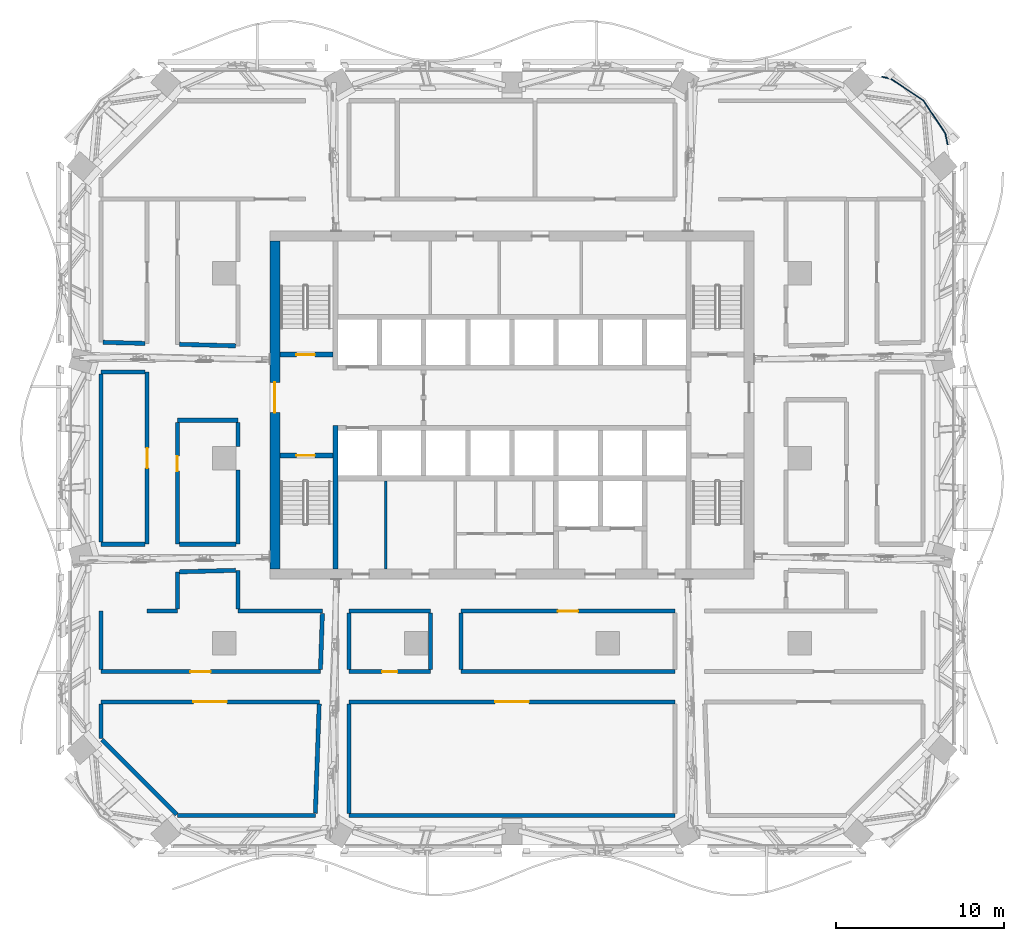
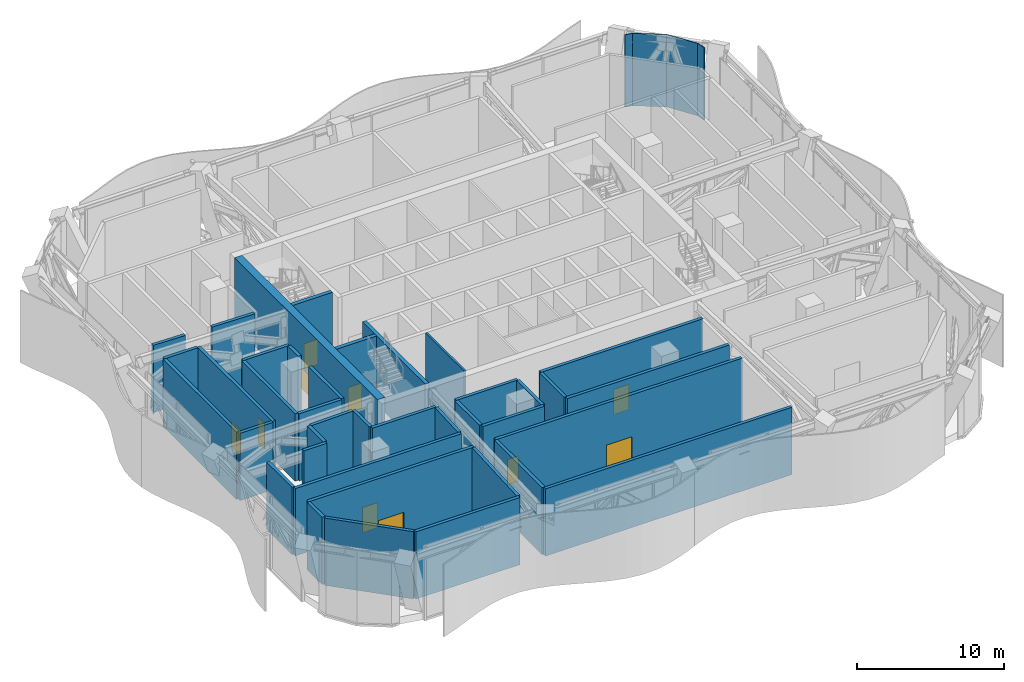
# One storey, part 8 of 26: 39 walls, 10 doors, 1 plate, 10 openings, 1 element without a shape of its own.
"""IFC4 building model written with IfcOpenShell, lengths in metres."""

from ifc_helpers import new_model, si_unit, direction, frame, frame_2d, origin, place, context, subcontext, project, spatial, polyline, rectangle, outline, extrude, material, layer, layer_set, type_object, element, fill, aggregate, save


model = new_model("IFC4")

# Units and contexts
model_context = context("Model", 3, precision=1e-05, world=origin(), true_north=direction((0.0, 1.0)))
body_context = subcontext(model_context, "Body", "Model", "MODEL_VIEW")
ifc_project = project(units=[si_unit("LENGTHUNIT", "METRE"), si_unit("AREAUNIT", "SQUARE_METRE"), si_unit("VOLUMEUNIT", "CUBIC_METRE"), si_unit("PLANEANGLEUNIT", "RADIAN"), si_unit("MASSUNIT", "GRAM", prefix="KILO")], contexts=[model_context])

# Site, building, storey
site_placement = place(None, origin())
site = spatial("IfcSite", under=ifc_project, at=site_placement, CompositionType="ELEMENT")
building_placement = place(site_placement, origin())
building = spatial("IfcBuilding", under=site, at=building_placement, Name="Mopane Tessera Tower", CompositionType="ELEMENT")
storey_placement = place(building_placement, frame((0.0, 0.0, 205.0)))
storey = spatial("IfcBuildingStorey", under=building, at=storey_placement, Name="L43", CompositionType="ELEMENT", Elevation=205.0)

# Curtain wall, plate
ifc_material_1 = material(Name="Aluminium frame", Category="aluminium")
curtain_wall_type = type_object("IfcCurtainWallType", Name="Plant floor unitised wall", PredefinedType="NOTDEFINED", material=ifc_material_1)
curtain_wall_placement = place(storey_placement, origin())
curtain_wall = element("IfcCurtainWall", 1, at=curtain_wall_placement, inside=storey, type_object=curtain_wall_type, Name="e:cw:L43:CE", PredefinedType="NOTDEFINED")
ifc_material_2 = material(Name="Limestone spandrel", Category="masonry")
ifc_layer_1 = layer(ifc_material_2, 0.06005859375)
ifc_layer_set_1 = layer_set([ifc_layer_1], Name="Limestone spandrel")
plate_type = type_object("IfcPlateType", Name="Stone spandrel unit", PredefinedType="CURTAIN_PANEL", material=ifc_layer_set_1)
plate_placement = place(storey_placement, frame((0.0, 0.0, -0.419921875)))
plate = element("IfcPlate", 2, at=plate_placement, type_object=plate_type, Name="e:cw:L43:CE:pn", PredefinedType="CURTAIN_PANEL", context=body_context, shape_type="SweptSolid", body=[
    extrude(outline(polyline([(24.442626953125, 21.24267578125), (22.49609375, 22.543212890625), (21.977783203125, 22.646484375), (21.977783203125, 22.706298828125), (22.51904296875, 22.5986328125), (24.485107421875, 21.28515625), (25.798828125, 19.319091796875), (25.935546875, 18.630615234375), (25.875732421875, 18.630615234375), (25.7431640625, 19.296142578125), (24.442626953125, 21.24267578125)])), origin(), (0.0, 0.0, 1.0), 6.02001953125),
])
aggregate(curtain_wall, [plate])

# Wall
ifc_material_3 = material(Name="Fire-rated gypsum board partition")
ifc_layer_2 = layer(ifc_material_3, 0.14990234375)
ifc_layer_set_2 = layer_set([ifc_layer_2], Name="Fire-rated gypsum board partition")
wall_type_1 = type_object("IfcWallType", Name="Core room partition 150 mm", PredefinedType="PARTITIONING", material=ifc_layer_set_2)
wall_1_placement = place(storey_placement, frame((-7.5, -6.60009765625, 0.0), z_axis=(0.0, 0.0, 1.0), x_axis=(0.0, 1.0, 0.0)))
element("IfcWall", 3, at=wall_1_placement, inside=storey, type_object=wall_type_1, Name="L43 Room partition", PredefinedType="PARTITIONING", context=body_context, shape_type="SweptSolid", body=[
    extrude(rectangle(XDim=5.25, YDim=0.14990234375, at=frame_2d((2.625, 0.0))), origin(), (0.0, 0.0, 1.0), 5.699951171875),
])

# Wall, opening, door
ifc_material_4 = material(Name="Concrete C70/85", Category="concrete")
ifc_layer_3 = layer(ifc_material_4, 0.60009765625)
ifc_layer_set_3 = layer_set([ifc_layer_3], Name="Concrete C70/85")
wall_type_2 = type_object("IfcWallType", Name="Core shear wall 600 mm", PredefinedType="SHEAR", material=ifc_layer_set_3)
wall_2_placement = place(storey_placement, frame((-14.10009765625, -6.60009765625, 0.0), z_axis=(0.0, 0.0, 1.0), x_axis=(0.0, 1.0, 0.0)))
wall_2 = element("IfcWall", 4, at=wall_2_placement, inside=storey, type_object=wall_type_2, Name="L43 Core wall west", PredefinedType="SHEAR", context=body_context, shape_type="SweptSolid", body=[
    extrude(rectangle(XDim=19.5, YDim=0.60009765625, at=frame_2d((9.75, 0.0))), origin(), (0.0, 0.0, 1.0), 5.699951171875),
])
opening_1_placement = place(wall_2_placement, frame((9.300048828125, 0.0, 0.0)))
opening_1 = element("IfcOpeningElement", 5, at=opening_1_placement, cuts=wall_2, Name="Opening SD2", PredefinedType="OPENING", context=body_context, shape_type="SweptSolid", body=[
    extrude(rectangle(XDim=1.800048828125, YDim=2.10009765625, at=frame_2d((0.89990234375, 1.050048828125))), frame((0.0, 0.31201171875, 0.0), z_axis=(0.0, -1.0, 0.0), x_axis=(1.0, 0.0, 0.0)), (0.0, 0.0, 1.0), 0.6240234375),
])
ifc_material_5 = material(Name="Steel fire door", Category="steel")
door_type_1 = type_object("IfcDoorType", Name="Core entrance double door 1800 x 2100", OperationType="DOUBLE_DOOR_SINGLE_SWING", PredefinedType="DOOR", material=ifc_material_5)
door_1_placement = place(opening_1_placement, origin())
door_1 = element("IfcDoor", 6, at=door_1_placement, inside=storey, type_object=door_type_1, Name="L43 Core entrance door west", OperationType="DOUBLE_DOOR_SINGLE_SWING", OverallHeight=2.10009765625, OverallWidth=1.800048828125, PredefinedType="DOOR", context=body_context, shape_type="SweptSolid", body=[
    extrude(rectangle(XDim=1.800048828125, YDim=2.10009765625, at=frame_2d((0.89990234375, 1.050048828125))), frame((0.0, 0.02490234375, 0.0), z_axis=(0.0, -1.0, 0.0), x_axis=(1.0, 0.0, 0.0)), (0.0, 0.0, 1.0), 0.050048828125),
])
fill(opening_1, door_1)

# Wall
ifc_material_6 = material(Name="Concrete C60/75", Category="concrete")
ifc_layer_4 = layer(ifc_material_6, 0.300048828125)
ifc_layer_set_4 = layer_set([ifc_layer_4], Name="Concrete C60/75")
wall_type_3 = type_object("IfcWallType", Name="Core spine wall 300 mm", PredefinedType="SHEAR", material=ifc_layer_set_4)
wall_3_placement = place(storey_placement, frame((-10.5, -6.60009765625, 0.0), z_axis=(0.0, 0.0, 1.0), x_axis=(0.0, 1.0, 0.0)))
element("IfcWall", 7, at=wall_3_placement, inside=storey, type_object=wall_type_3, Name="L43 Core spine wall", PredefinedType="SHEAR", context=body_context, shape_type="SweptSolid", body=[
    extrude(rectangle(XDim=8.550048828125, YDim=0.300048828125, at=frame_2d((4.27490234375, 0.0))), origin(), (0.0, 0.0, 1.0), 5.699951171875),
])

# Wall, opening, door
ifc_material_7 = material(Name="Concrete C50/60", Category="concrete")
ifc_layer_5 = layer(ifc_material_7, 0.300048828125)
ifc_layer_set_5 = layer_set([ifc_layer_5], Name="Concrete C50/60")
wall_type_4 = type_object("IfcWallType", Name="Lift and stair shaft wall 300 mm", PredefinedType="SOLIDWALL", material=ifc_layer_set_5)
wall_4_placement = place(storey_placement, frame((-13.800048828125, 0.14990234375, 0.0), z_axis=(0.0, 0.0, 1.0), x_axis=(1.0, 0.0, 0.0)))
wall_4 = element("IfcWall", 8, at=wall_4_placement, inside=storey, type_object=wall_type_4, Name="L43 Stair enclosure wall", PredefinedType="SOLIDWALL", context=body_context, shape_type="SweptSolid", body=[
    extrude(rectangle(XDim=3.150146484375, YDim=0.300048828125, at=frame_2d((1.5751953125, 0.0))), origin(), (0.0, 0.0, 1.0), 5.699951171875),
])
opening_2_placement = place(wall_4_placement, frame((0.97509765625, 0.0, 0.0)))
opening_2 = element("IfcOpeningElement", 9, at=opening_2_placement, cuts=wall_4, Name="Opening SD1", PredefinedType="OPENING", context=body_context, shape_type="SweptSolid", body=[
    extrude(rectangle(XDim=1.10009765625, YDim=2.10009765625, at=frame_2d((0.550048828125, 1.050048828125))), frame((0.0, 0.162109375, 0.0), z_axis=(0.0, -1.0, 0.0), x_axis=(1.0, 0.0, 0.0)), (0.0, 0.0, 1.0), 0.323974609375),
])
ifc_material_8 = material(Name="Steel fire door", Category="steel")
door_type_2 = type_object("IfcDoorType", Name="Stair fire door 1100 x 2100", OperationType="SINGLE_SWING_LEFT", PredefinedType="DOOR", material=ifc_material_8)
door_2_placement = place(opening_2_placement, origin())
door_2 = element("IfcDoor", 10, at=door_2_placement, inside=storey, type_object=door_type_2, Name="L43 Stair door ST1", OperationType="SINGLE_SWING_LEFT", OverallHeight=2.10009765625, OverallWidth=1.10009765625, PredefinedType="DOOR", context=body_context, shape_type="SweptSolid", body=[
    extrude(rectangle(XDim=1.10009765625, YDim=2.10009765625, at=frame_2d((0.550048828125, 1.050048828125))), frame((0.0, 0.02490234375, 0.0), z_axis=(0.0, -1.0, 0.0), x_axis=(1.0, 0.0, 0.0)), (0.0, 0.0, 1.0), 0.050048828125),
])
fill(opening_2, door_2)

wall_5_placement = place(storey_placement, frame((-13.800048828125, 6.14990234375, 0.0), z_axis=(0.0, 0.0, 1.0), x_axis=(1.0, 0.0, 0.0)))
wall_5 = element("IfcWall", 11, at=wall_5_placement, inside=storey, type_object=wall_type_4, Name="L43 Stair enclosure wall", PredefinedType="SOLIDWALL", context=body_context, shape_type="SweptSolid", body=[
    extrude(rectangle(XDim=3.150146484375, YDim=0.300048828125, at=frame_2d((1.5751953125, 0.0))), origin(), (0.0, 0.0, 1.0), 5.699951171875),
])
opening_3_placement = place(wall_5_placement, frame((0.97509765625, 0.0, 0.0)))
opening_3 = element("IfcOpeningElement", 12, at=opening_3_placement, cuts=wall_5, Name="Opening SD1", PredefinedType="OPENING", context=body_context, shape_type="SweptSolid", body=[
    extrude(rectangle(XDim=1.10009765625, YDim=2.10009765625, at=frame_2d((0.550048828125, 1.050048828125))), frame((0.0, 0.162109375, 0.0), z_axis=(0.0, -1.0, 0.0), x_axis=(1.0, 0.0, 0.0)), (0.0, 0.0, 1.0), 0.323974609375),
])
door_3_placement = place(opening_3_placement, origin())
door_3 = element("IfcDoor", 13, at=door_3_placement, inside=storey, type_object=door_type_2, Name="L43 Stair door ST2", OperationType="SINGLE_SWING_LEFT", OverallHeight=2.10009765625, OverallWidth=1.10009765625, PredefinedType="DOOR", context=body_context, shape_type="SweptSolid", body=[
    extrude(rectangle(XDim=1.10009765625, YDim=2.10009765625, at=frame_2d((0.550048828125, 1.050048828125))), frame((0.0, 0.02490234375, 0.0), z_axis=(0.0, -1.0, 0.0), x_axis=(1.0, 0.0, 0.0)), (0.0, 0.0, 1.0), 0.050048828125),
])
fill(opening_3, door_3)

# Walls
ifc_material_9 = material(Name="Plastered concrete blockwork C20/25", Category="masonry")
ifc_layer_6 = layer(ifc_material_9, 0.25)
ifc_layer_set_6 = layer_set([ifc_layer_6], Name="Plastered concrete blockwork C20/25")
wall_type_5 = type_object("IfcWallType", Name="Plastered blockwork wall 250, rated EI 120", PredefinedType="PARTITIONING", material=ifc_layer_set_6)
wall_6_placement = place(storey_placement, frame((-19.889892578125, -21.25, 0.0), z_axis=(0.0, 0.0, 1.0), x_axis=(1.0, 0.0, 0.0)))
element("IfcWall", 14, at=wall_6_placement, inside=storey, type_object=wall_type_5, Name="Partition L43:000", PredefinedType="PARTITIONING", context=body_context, shape_type="SweptSolid", body=[
    extrude(rectangle(XDim=8.18994140625, YDim=0.25, at=frame_2d((4.094970703125, 0.0))), origin(), (0.0, 0.0, 1.0), 5.60009765625),
])
wall_7_placement = place(storey_placement, frame((-9.699951171875, -21.25, 0.0), z_axis=(0.0, 0.0, 1.0), x_axis=(1.0, 0.0, 0.0)))
element("IfcWall", 15, at=wall_7_placement, inside=storey, type_object=wall_type_5, Name="Partition L43:001", PredefinedType="PARTITIONING", context=body_context, shape_type="SweptSolid", body=[
    extrude(rectangle(XDim=19.39990234375, YDim=0.25, at=frame_2d((9.699951171875, 0.0))), origin(), (0.0, 0.0, 1.0), 5.60009765625),
])

# Wall, opening, door
wall_8_placement = place(storey_placement, frame((-24.449951171875, -14.5, 0.0), z_axis=(0.0, 0.0, 1.0), x_axis=(1.0, 0.0, 0.0)))
wall_8 = element("IfcWall", 16, at=wall_8_placement, inside=storey, type_object=wall_type_5, Name="Partition L43:003", PredefinedType="PARTITIONING", context=body_context, shape_type="SweptSolid", body=[
    extrude(rectangle(XDim=12.989990234375, YDim=0.25, at=frame_2d((6.4951171875, 0.0))), origin(), (0.0, 0.0, 1.0), 5.60009765625),
])
opening_4_placement = place(wall_8_placement, frame((5.4951171875, 0.0, 0.0)))
opening_4 = element("IfcOpeningElement", 17, at=opening_4_placement, cuts=wall_8, Name="Opening L43-15", PredefinedType="OPENING", context=body_context, shape_type="SweptSolid", body=[
    extrude(rectangle(XDim=2.0, YDim=2.10009765625, at=frame_2d((1.0, 1.050048828125))), frame((0.0, 0.136962890625, 0.0), z_axis=(0.0, -1.0, 0.0), x_axis=(1.0, 0.0, 0.0)), (0.0, 0.0, 1.0), 0.27392578125),
])
ifc_material_10 = material(Name="Timber veneered steel-framed fire door", Category="steel")
door_type_3 = type_object("IfcDoorType", Name="Fire door pair FD120 2000 x 2100", OperationType="DOUBLE_DOOR_SINGLE_SWING", PredefinedType="DOOR", material=ifc_material_10)
door_4_placement = place(opening_4_placement, origin())
door_4 = element("IfcDoor", 18, at=door_4_placement, inside=storey, type_object=door_type_3, Name="Door L43-15", ObjectType="D25B", OperationType="DOUBLE_DOOR_SINGLE_SWING", OverallHeight=2.10009765625, OverallWidth=2.0, PredefinedType="DOOR", context=body_context, shape_type="SweptSolid", body=[
    extrude(rectangle(XDim=2.0, YDim=2.10009765625, at=frame_2d((1.0, 1.050048828125))), frame((0.0, 0.02490234375, 0.0), z_axis=(0.0, -1.0, 0.0), x_axis=(1.0, 0.0, 0.0)), (0.0, 0.0, 1.0), 0.050048828125),
])
fill(opening_4, door_4)

wall_9_placement = place(storey_placement, frame((-9.699951171875, -14.5, 0.0), z_axis=(0.0, 0.0, 1.0), x_axis=(1.0, 0.0, 0.0)))
wall_9 = element("IfcWall", 19, at=wall_9_placement, inside=storey, type_object=wall_type_5, Name="Partition L43:004", PredefinedType="PARTITIONING", context=body_context, shape_type="SweptSolid", body=[
    extrude(rectangle(XDim=19.39990234375, YDim=0.25, at=frame_2d((9.699951171875, 0.0))), origin(), (0.0, 0.0, 1.0), 5.60009765625),
])
opening_5_placement = place(wall_9_placement, frame((8.699951171875, 0.0, 0.0)))
opening_5 = element("IfcOpeningElement", 20, at=opening_5_placement, cuts=wall_9, Name="Opening L43-16", PredefinedType="OPENING", context=body_context, shape_type="SweptSolid", body=[
    extrude(rectangle(XDim=2.0, YDim=2.10009765625, at=frame_2d((1.0, 1.050048828125))), frame((0.0, 0.136962890625, 0.0), z_axis=(0.0, -1.0, 0.0), x_axis=(1.0, 0.0, 0.0)), (0.0, 0.0, 1.0), 0.27392578125),
])
door_5_placement = place(opening_5_placement, origin())
door_5 = element("IfcDoor", 21, at=door_5_placement, inside=storey, type_object=door_type_3, Name="Door L43-16", ObjectType="D25B", OperationType="DOUBLE_DOOR_SINGLE_SWING", OverallHeight=2.10009765625, OverallWidth=2.0, PredefinedType="DOOR", context=body_context, shape_type="SweptSolid", body=[
    extrude(rectangle(XDim=2.0, YDim=2.10009765625, at=frame_2d((1.0, 1.050048828125))), frame((0.0, 0.02490234375, 0.0), z_axis=(0.0, -1.0, 0.0), x_axis=(1.0, 0.0, 0.0)), (0.0, 0.0, 1.0), 0.050048828125),
])
fill(opening_5, door_5)

wall_10_placement = place(storey_placement, frame((-24.449951171875, -12.699951171875, 0.0), z_axis=(0.0, 0.0, 1.0), x_axis=(1.0, 0.0, 0.0)))
wall_10 = element("IfcWall", 22, at=wall_10_placement, inside=storey, type_object=wall_type_5, Name="Partition L43:006", PredefinedType="PARTITIONING", context=body_context, shape_type="SweptSolid", body=[
    extrude(rectangle(XDim=13.054931640625, YDim=0.25, at=frame_2d((6.52734375, 0.0))), origin(), (0.0, 0.0, 1.0), 5.60009765625),
])
opening_6_placement = place(wall_10_placement, frame((5.327392578125, 0.0, 0.0)))
opening_6 = element("IfcOpeningElement", 23, at=opening_6_placement, cuts=wall_10, Name="Opening L43-05", PredefinedType="OPENING", context=body_context, shape_type="SweptSolid", body=[
    extrude(rectangle(XDim=1.199951171875, YDim=2.10009765625, at=frame_2d((0.60009765625, 1.050048828125))), frame((0.0, 0.136962890625, 0.0), z_axis=(0.0, -1.0, 0.0), x_axis=(1.0, 0.0, 0.0)), (0.0, 0.0, 1.0), 0.27392578125),
])
ifc_material_11 = material(Name="Timber veneered steel-framed fire door", Category="steel")
door_type_4 = type_object("IfcDoorType", Name="Fire door FD120 1200 x 2100", OperationType="SINGLE_SWING_LEFT", PredefinedType="DOOR", material=ifc_material_11)
door_6_placement = place(opening_6_placement, origin())
door_6 = element("IfcDoor", 24, at=door_6_placement, inside=storey, type_object=door_type_4, Name="Door L43-05", ObjectType="D15B", OperationType="SINGLE_SWING_LEFT", OverallHeight=2.10009765625, OverallWidth=1.199951171875, PredefinedType="DOOR", context=body_context, shape_type="SweptSolid", body=[
    extrude(rectangle(XDim=1.199951171875, YDim=2.10009765625, at=frame_2d((0.60009765625, 1.050048828125))), frame((0.0, 0.02490234375, 0.0), z_axis=(0.0, -1.0, 0.0), x_axis=(1.0, 0.0, 0.0)), (0.0, 0.0, 1.0), 0.050048828125),
])
fill(opening_6, door_6)

wall_11_placement = place(storey_placement, frame((-9.699951171875, -12.699951171875, 0.0), z_axis=(0.0, 0.0, 1.0), x_axis=(1.0, 0.0, 0.0)))
wall_11 = element("IfcWall", 25, at=wall_11_placement, inside=storey, type_object=wall_type_5, Name="Partition L43:007", PredefinedType="PARTITIONING", context=body_context, shape_type="SweptSolid", body=[
    extrude(rectangle(XDim=4.85986328125, YDim=0.25, at=frame_2d((2.429931640625, 0.0))), origin(), (0.0, 0.0, 1.0), 5.60009765625),
])
opening_7_placement = place(wall_11_placement, frame((1.97998046875, 0.0, 0.0)))
opening_7 = element("IfcOpeningElement", 26, at=opening_7_placement, cuts=wall_11, Name="Opening L43-07", PredefinedType="OPENING", context=body_context, shape_type="SweptSolid", body=[
    extrude(rectangle(XDim=0.89990234375, YDim=2.10009765625, at=frame_2d((0.449951171875, 1.050048828125))), frame((0.0, 0.136962890625, 0.0), z_axis=(0.0, -1.0, 0.0), x_axis=(1.0, 0.0, 0.0)), (0.0, 0.0, 1.0), 0.27392578125),
])
ifc_material_12 = material(Name="Timber veneered steel-framed fire door", Category="steel")
door_type_5 = type_object("IfcDoorType", Name="Fire door FD120 900 x 2100", OperationType="SINGLE_SWING_LEFT", PredefinedType="DOOR", material=ifc_material_12)
door_7_placement = place(opening_7_placement, origin())
door_7 = element("IfcDoor", 27, at=door_7_placement, inside=storey, type_object=door_type_5, Name="Door L43-07", ObjectType="D10B", OperationType="SINGLE_SWING_LEFT", OverallHeight=2.10009765625, OverallWidth=0.89990234375, PredefinedType="DOOR", context=body_context, shape_type="SweptSolid", body=[
    extrude(rectangle(XDim=0.89990234375, YDim=2.10009765625, at=frame_2d((0.449951171875, 1.050048828125))), frame((0.0, 0.02490234375, 0.0), z_axis=(0.0, -1.0, 0.0), x_axis=(1.0, 0.0, 0.0)), (0.0, 0.0, 1.0), 0.050048828125),
])
fill(opening_7, door_7)

# Walls
wall_12_placement = place(storey_placement, frame((-3.0400390625, -12.699951171875, 0.0), z_axis=(0.0, 0.0, 1.0), x_axis=(1.0, 0.0, 0.0)))
element("IfcWall", 28, at=wall_12_placement, inside=storey, type_object=wall_type_5, Name="Partition L43:008", PredefinedType="PARTITIONING", context=body_context, shape_type="SweptSolid", body=[
    extrude(rectangle(XDim=12.739990234375, YDim=0.25, at=frame_2d((6.3701171875, 0.0))), origin(), (0.0, 0.0, 1.0), 5.60009765625),
])
wall_13_placement = place(storey_placement, frame((-21.699951171875, -9.10009765625, 0.0), z_axis=(0.0, 0.0, 1.0), x_axis=(1.0, 0.0, 0.0)))
element("IfcWall", 29, at=wall_13_placement, inside=storey, type_object=wall_type_5, Name="Partition L43:010", PredefinedType="PARTITIONING", context=body_context, shape_type="SweptSolid", body=[
    extrude(rectangle(XDim=1.800048828125, YDim=0.25, at=frame_2d((0.89990234375, 0.0))), origin(), (0.0, 0.0, 1.0), 5.60009765625),
])
wall_14_placement = place(storey_placement, frame((-16.300048828125, -9.10009765625, 0.0), z_axis=(0.0, 0.0, 1.0), x_axis=(1.0, 0.0, 0.0)))
element("IfcWall", 30, at=wall_14_placement, inside=storey, type_object=wall_type_5, Name="Partition L43:011", PredefinedType="PARTITIONING", context=body_context, shape_type="SweptSolid", body=[
    extrude(rectangle(XDim=5.030029296875, YDim=0.25, at=frame_2d((2.51513671875, 0.0))), origin(), (0.0, 0.0, 1.0), 5.60009765625),
])
wall_15_placement = place(storey_placement, frame((-9.699951171875, -9.10009765625, 0.0), z_axis=(0.0, 0.0, 1.0), x_axis=(1.0, 0.0, 0.0)))
element("IfcWall", 31, at=wall_15_placement, inside=storey, type_object=wall_type_5, Name="Partition L43:012", PredefinedType="PARTITIONING", context=body_context, shape_type="SweptSolid", body=[
    extrude(rectangle(XDim=4.85986328125, YDim=0.25, at=frame_2d((2.429931640625, 0.0))), origin(), (0.0, 0.0, 1.0), 5.60009765625),
])

# Wall, opening, door
wall_16_placement = place(storey_placement, frame((-3.0400390625, -9.10009765625, 0.0), z_axis=(0.0, 0.0, 1.0), x_axis=(1.0, 0.0, 0.0)))
wall_16 = element("IfcWall", 32, at=wall_16_placement, inside=storey, type_object=wall_type_5, Name="Partition L43:013", PredefinedType="PARTITIONING", context=body_context, shape_type="SweptSolid", body=[
    extrude(rectangle(XDim=12.739990234375, YDim=0.25, at=frame_2d((6.3701171875, 0.0))), origin(), (0.0, 0.0, 1.0), 5.60009765625),
])
opening_8_placement = place(wall_16_placement, frame((5.77001953125, 0.0, 0.0)))
opening_8 = element("IfcOpeningElement", 33, at=opening_8_placement, cuts=wall_16, Name="Opening L43-11", PredefinedType="OPENING", context=body_context, shape_type="SweptSolid", body=[
    extrude(rectangle(XDim=1.199951171875, YDim=2.10009765625, at=frame_2d((0.60009765625, 1.050048828125))), frame((0.0, 0.136962890625, 0.0), z_axis=(0.0, -1.0, 0.0), x_axis=(1.0, 0.0, 0.0)), (0.0, 0.0, 1.0), 0.27392578125),
])
door_8_placement = place(opening_8_placement, origin())
door_8 = element("IfcDoor", 34, at=door_8_placement, inside=storey, type_object=door_type_4, Name="Door L43-11", ObjectType="D15B", OperationType="SINGLE_SWING_RIGHT", OverallHeight=2.10009765625, OverallWidth=1.199951171875, PredefinedType="DOOR", context=body_context, shape_type="SweptSolid", body=[
    extrude(rectangle(XDim=1.199951171875, YDim=2.10009765625, at=frame_2d((0.60009765625, 1.050048828125))), frame((0.0, 0.02490234375, 0.0), z_axis=(0.0, -1.0, 0.0), x_axis=(1.0, 0.0, 0.0)), (0.0, 0.0, 1.0), 0.050048828125),
])
fill(opening_8, door_8)

# Walls
wall_17_placement = place(storey_placement, frame((-24.449951171875, -5.1201171875, 0.0), z_axis=(0.0, 0.0, 1.0), x_axis=(1.0, 0.0, 0.0)))
element("IfcWall", 35, at=wall_17_placement, inside=storey, type_object=wall_type_5, Name="Partition L43:015", PredefinedType="PARTITIONING", context=body_context, shape_type="SweptSolid", body=[
    extrude(rectangle(XDim=2.625, YDim=0.25, at=frame_2d((1.3125, 0.0))), origin(), (0.0, 0.0, 1.0), 5.60009765625),
])
wall_18_placement = place(storey_placement, frame((-19.77490234375, -5.1201171875, 0.0), z_axis=(0.0, 0.0, 1.0), x_axis=(1.0, 0.0, 0.0)))
element("IfcWall", 36, at=wall_18_placement, inside=storey, type_object=wall_type_5, Name="Partition L43:016", PredefinedType="PARTITIONING", context=body_context, shape_type="SweptSolid", body=[
    extrude(rectangle(XDim=3.349853515625, YDim=0.25, at=frame_2d((1.6748046875, 0.0))), origin(), (0.0, 0.0, 1.0), 5.60009765625),
])
wall_19_placement = place(storey_placement, frame((-19.89990234375, 2.25, 0.0), z_axis=(0.0, 0.0, 1.0), x_axis=(1.0, 0.0, 0.0)))
element("IfcWall", 37, at=wall_19_placement, inside=storey, type_object=wall_type_5, Name="Partition L43:019", PredefinedType="PARTITIONING", context=body_context, shape_type="SweptSolid", body=[
    extrude(rectangle(XDim=3.599853515625, YDim=0.25, at=frame_2d((1.7998046875, 0.0))), origin(), (0.0, 0.0, 1.0), 5.60009765625),
])
wall_20_placement = place(storey_placement, frame((-24.449951171875, 5.1201171875, 0.0), z_axis=(0.0, 0.0, 1.0), x_axis=(1.0, 0.0, 0.0)))
element("IfcWall", 38, at=wall_20_placement, inside=storey, type_object=wall_type_5, Name="Partition L43:021", PredefinedType="PARTITIONING", context=body_context, shape_type="SweptSolid", body=[
    extrude(rectangle(XDim=2.625, YDim=0.25, at=frame_2d((1.3125, 0.0))), origin(), (0.0, 0.0, 1.0), 5.60009765625),
])
wall_21_placement = place(storey_placement, frame((-24.449951171875, -16.68994140625, 0.0), z_axis=(0.0, 0.0, 1.0), x_axis=(0.0, 1.0, 0.0)))
element("IfcWall", 39, at=wall_21_placement, inside=storey, type_object=wall_type_5, Name="Partition L43:034", PredefinedType="PARTITIONING", context=body_context, shape_type="SweptSolid", body=[
    extrude(rectangle(XDim=2.06494140625, YDim=0.25, at=frame_2d((1.032470703125, 0.0))), origin(), (0.0, 0.0, 1.0), 5.60009765625),
])
wall_22_placement = place(storey_placement, frame((-24.449951171875, -12.574951171875, 0.0), z_axis=(0.0, 0.0, 1.0), x_axis=(0.0, 1.0, 0.0)))
element("IfcWall", 40, at=wall_22_placement, inside=storey, type_object=wall_type_5, Name="Partition L43:035", PredefinedType="PARTITIONING", context=body_context, shape_type="SweptSolid", body=[
    extrude(rectangle(XDim=3.474853515625, YDim=0.25, at=frame_2d((1.7373046875, 0.0))), origin(), (0.0, 0.0, 1.0), 5.60009765625),
])
wall_23_placement = place(storey_placement, frame((-24.449951171875, -4.9951171875, 0.0), z_axis=(0.0, 0.0, 1.0), x_axis=(0.0, 1.0, 0.0)))
element("IfcWall", 41, at=wall_23_placement, inside=storey, type_object=wall_type_5, Name="Partition L43:036", PredefinedType="PARTITIONING", context=body_context, shape_type="SweptSolid", body=[
    extrude(rectangle(XDim=9.990234375, YDim=0.25, at=frame_2d((4.9951171875, 0.0))), origin(), (0.0, 0.0, 1.0), 5.60009765625),
])

# Wall, opening, door
wall_24_placement = place(storey_placement, frame((-21.699951171875, -5.1201171875, 0.0), z_axis=(0.0, 0.0, 1.0), x_axis=(0.0, 1.0, 0.0)))
wall_24 = element("IfcWall", 42, at=wall_24_placement, inside=storey, type_object=wall_type_5, Name="Partition L43:039", PredefinedType="PARTITIONING", context=body_context, shape_type="SweptSolid", body=[
    extrude(rectangle(XDim=10.240234375, YDim=0.25, at=frame_2d((5.1201171875, 0.0))), origin(), (0.0, 0.0, 1.0), 5.60009765625),
])
opening_9_placement = place(wall_24_placement, frame((4.52001953125, 0.0, 0.0)))
opening_9 = element("IfcOpeningElement", 43, at=opening_9_placement, cuts=wall_24, Name="Opening L43-14", PredefinedType="OPENING", context=body_context, shape_type="SweptSolid", body=[
    extrude(rectangle(XDim=1.199951171875, YDim=2.10009765625, at=frame_2d((0.60009765625, 1.050048828125))), frame((0.0, 0.136962890625, 0.0), z_axis=(0.0, -1.0, 0.0), x_axis=(1.0, 0.0, 0.0)), (0.0, 0.0, 1.0), 0.27392578125),
])
door_9_placement = place(opening_9_placement, origin())
door_9 = element("IfcDoor", 44, at=door_9_placement, inside=storey, type_object=door_type_4, Name="Door L43-14", ObjectType="D15B", OperationType="SINGLE_SWING_RIGHT", OverallHeight=2.10009765625, OverallWidth=1.199951171875, PredefinedType="DOOR", context=body_context, shape_type="SweptSolid", body=[
    extrude(rectangle(XDim=1.199951171875, YDim=2.10009765625, at=frame_2d((0.60009765625, 1.050048828125))), frame((0.0, 0.02490234375, 0.0), z_axis=(0.0, -1.0, 0.0), x_axis=(1.0, 0.0, 0.0)), (0.0, 0.0, 1.0), 0.050048828125),
])
fill(opening_9, door_9)

# Wall
wall_25_placement = place(storey_placement, frame((-19.89990234375, -8.97509765625, 0.0), z_axis=(0.0, 0.0, 1.0), x_axis=(0.0, 1.0, 0.0)))
element("IfcWall", 45, at=wall_25_placement, inside=storey, type_object=wall_type_5, Name="Partition L43:041", PredefinedType="PARTITIONING", context=body_context, shape_type="SweptSolid", body=[
    extrude(rectangle(XDim=2.205078125, YDim=0.25, at=frame_2d((1.1025390625, 0.0))), origin(), (0.0, 0.0, 1.0), 5.60009765625),
])

# Wall, opening, door
wall_26_placement = place(storey_placement, frame((-19.89990234375, -5.1201171875, 0.0), z_axis=(0.0, 0.0, 1.0), x_axis=(0.0, 1.0, 0.0)))
wall_26 = element("IfcWall", 46, at=wall_26_placement, inside=storey, type_object=wall_type_5, Name="Partition L43:042", PredefinedType="PARTITIONING", context=body_context, shape_type="SweptSolid", body=[
    extrude(rectangle(XDim=7.2451171875, YDim=0.25, at=frame_2d((3.62255859375, 0.0))), origin(), (0.0, 0.0, 1.0), 5.60009765625),
])
opening_10_placement = place(wall_26_placement, frame((4.340087890625, 0.0, 0.0)))
opening_10 = element("IfcOpeningElement", 47, at=opening_10_placement, cuts=wall_26, Name="Opening L43-09", PredefinedType="OPENING", context=body_context, shape_type="SweptSolid", body=[
    extrude(rectangle(XDim=0.89990234375, YDim=2.10009765625, at=frame_2d((0.449951171875, 1.050048828125))), frame((0.0, 0.136962890625, 0.0), z_axis=(0.0, -1.0, 0.0), x_axis=(1.0, 0.0, 0.0)), (0.0, 0.0, 1.0), 0.27392578125),
])
door_10_placement = place(opening_10_placement, origin())
door_10 = element("IfcDoor", 48, at=door_10_placement, inside=storey, type_object=door_type_5, Name="Door L43-09", ObjectType="D10B", OperationType="SINGLE_SWING_RIGHT", OverallHeight=2.10009765625, OverallWidth=0.89990234375, PredefinedType="DOOR", context=body_context, shape_type="SweptSolid", body=[
    extrude(rectangle(XDim=0.89990234375, YDim=2.10009765625, at=frame_2d((0.449951171875, 1.050048828125))), frame((0.0, 0.02490234375, 0.0), z_axis=(0.0, -1.0, 0.0), x_axis=(1.0, 0.0, 0.0)), (0.0, 0.0, 1.0), 0.050048828125),
])
fill(opening_10, door_10)

# Walls
wall_27_placement = place(storey_placement, frame((-16.300048828125, -8.97509765625, 0.0), z_axis=(0.0, 0.0, 1.0), x_axis=(0.0, 1.0, 0.0)))
element("IfcWall", 49, at=wall_27_placement, inside=storey, type_object=wall_type_5, Name="Partition L43:044", PredefinedType="PARTITIONING", context=body_context, shape_type="SweptSolid", body=[
    extrude(rectangle(XDim=2.30517578125, YDim=0.25, at=frame_2d((1.152587890625, 0.0))), origin(), (0.0, 0.0, 1.0), 5.60009765625),
])
wall_28_placement = place(storey_placement, frame((-16.300048828125, -5.1201171875, 0.0), z_axis=(0.0, 0.0, 1.0), x_axis=(0.0, 1.0, 0.0)))
element("IfcWall", 50, at=wall_28_placement, inside=storey, type_object=wall_type_5, Name="Partition L43:045", PredefinedType="PARTITIONING", context=body_context, shape_type="SweptSolid", body=[
    extrude(rectangle(XDim=4.420166015625, YDim=0.25, at=frame_2d((2.2099609375, 0.0))), origin(), (0.0, 0.0, 1.0), 5.60009765625),
])
wall_29_placement = place(storey_placement, frame((-16.300048828125, 0.699951171875, 0.0), z_axis=(0.0, 0.0, 1.0), x_axis=(0.0, 1.0, 0.0)))
element("IfcWall", 51, at=wall_29_placement, inside=storey, type_object=wall_type_5, Name="Partition L43:046", PredefinedType="PARTITIONING", context=body_context, shape_type="SweptSolid", body=[
    extrude(rectangle(XDim=1.425048828125, YDim=0.25, at=frame_2d((0.71240234375, 0.0))), origin(), (0.0, 0.0, 1.0), 5.60009765625),
])
wall_30_placement = place(storey_placement, frame((-9.699951171875, -21.125, 0.0), z_axis=(0.0, 0.0, 1.0), x_axis=(0.0, 1.0, 0.0)))
element("IfcWall", 52, at=wall_30_placement, inside=storey, type_object=wall_type_5, Name="Partition L43:049", PredefinedType="PARTITIONING", context=body_context, shape_type="SweptSolid", body=[
    extrude(rectangle(XDim=6.5, YDim=0.25, at=frame_2d((3.25, 0.0))), origin(), (0.0, 0.0, 1.0), 5.60009765625),
])
for number, where, z_axis, x_axis, name in (
    (53, (-9.699951171875, -12.574951171875, 0.0), (0.0, 0.0, 1.0), (0.0, 1.0, 0.0), "Partition L43:050"),
    (54, (-4.840087890625, -12.574951171875, 0.0), (0.0, 0.0, 1.0), (0.0, 1.0, 0.0), "Partition L43:053"),
    (55, (-3.0400390625, -12.574951171875, 0.0), (0.0, 0.0, 1.0), (0.0, 1.0, 0.0), "Partition L43:054"),
):
    element("IfcWall", number, at=place(storey_placement, frame(where, z_axis=z_axis, x_axis=x_axis)), inside=storey, type_object=wall_type_5, Name=name, PredefinedType="PARTITIONING", context=body_context, shape_type="SweptSolid", body=[
        extrude(rectangle(XDim=3.349853515625, YDim=0.25, at=frame_2d((1.6748046875, 0.0))), origin(), (0.0, 0.0, 1.0), 5.60009765625),
    ])
wall_31_placement = place(storey_placement, frame((-21.830078125, 6.819091796875, 0.0), z_axis=(0.0, 0.0, 1.0), x_axis=(-0.999639320935, 0.026855689179, 0.0)))
element("IfcWall", 56, at=wall_31_placement, inside=storey, type_object=wall_type_5, Name="Partition L43:074", PredefinedType="PARTITIONING", context=body_context, shape_type="SweptSolid", body=[
    extrude(rectangle(XDim=2.490966796875, YDim=0.25, at=frame_2d((1.24560546875, 0.0))), origin(), (0.0, 0.0, 1.0), 5.60009765625),
])
wall_32_placement = place(storey_placement, frame((-19.77001953125, -6.76611328125, 0.0), z_axis=(0.0, 0.0, 1.0), x_axis=(0.999620536712, 0.027546008504, 0.0)))
element("IfcWall", 57, at=wall_32_placement, inside=storey, type_object=wall_type_5, Name="Partition L43:078", PredefinedType="PARTITIONING", context=body_context, shape_type="SweptSolid", body=[
    extrude(rectangle(XDim=3.34130859375, YDim=0.25, at=frame_2d((1.670654296875, 0.0))), origin(), (0.0, 0.0, 1.0), 5.60009765625),
])
wall_33_placement = place(storey_placement, frame((-11.27490234375, -9.22998046875, 0.0), z_axis=(0.0, 0.0, 1.0), x_axis=(-0.03440692376, -0.999407906511, 0.0)))
element("IfcWall", 58, at=wall_33_placement, inside=storey, type_object=wall_type_5, Name="Partition L43:079", PredefinedType="PARTITIONING", context=body_context, shape_type="SweptSolid", body=[
    extrude(rectangle(XDim=3.342041015625, YDim=0.25, at=frame_2d((1.6708984375, 0.0))), origin(), (0.0, 0.0, 1.0), 5.60009765625),
])
wall_34_placement = place(storey_placement, frame((-11.465087890625, -14.6298828125, 0.0), z_axis=(0.0, 0.0, 1.0), x_axis=(-0.035412622455, -0.999372776381, 0.0)))
element("IfcWall", 59, at=wall_34_placement, inside=storey, type_object=wall_type_5, Name="Partition L43:083", PredefinedType="PARTITIONING", context=body_context, shape_type="SweptSolid", body=[
    extrude(rectangle(XDim=6.494384765625, YDim=0.25, at=frame_2d((3.2470703125, 0.0))), origin(), (0.0, 0.0, 1.0), 5.60009765625),
])
wall_35_placement = place(storey_placement, frame((-19.947021484375, -21.193115234375, 0.0), z_axis=(0.0, 0.0, 1.0), x_axis=(-0.707106781187, 0.707106781187, 0.0)))
element("IfcWall", 60, at=wall_35_placement, inside=storey, type_object=wall_type_5, Name="Partition L43:084", PredefinedType="PARTITIONING", context=body_context, shape_type="SweptSolid", body=[
    extrude(rectangle(XDim=6.28759765625, YDim=0.25, at=frame_2d((3.143798828125, 0.0))), origin(), (0.0, 0.0, 1.0), 5.60009765625),
])
wall_36_placement = place(storey_placement, frame((-16.429931640625, 6.674072265625, 0.0), z_axis=(0.0, 0.0, 1.0), x_axis=(-0.999620536712, 0.027546008504, 0.0)))
element("IfcWall", 61, at=wall_36_placement, inside=storey, type_object=wall_type_5, Name="Partition L43:086", PredefinedType="PARTITIONING", context=body_context, shape_type="SweptSolid", body=[
    extrude(rectangle(XDim=3.34130859375, YDim=0.25, at=frame_2d((1.670654296875, 0.0))), origin(), (0.0, 0.0, 1.0), 5.60009765625),
])

save(model, "model.ifc")
